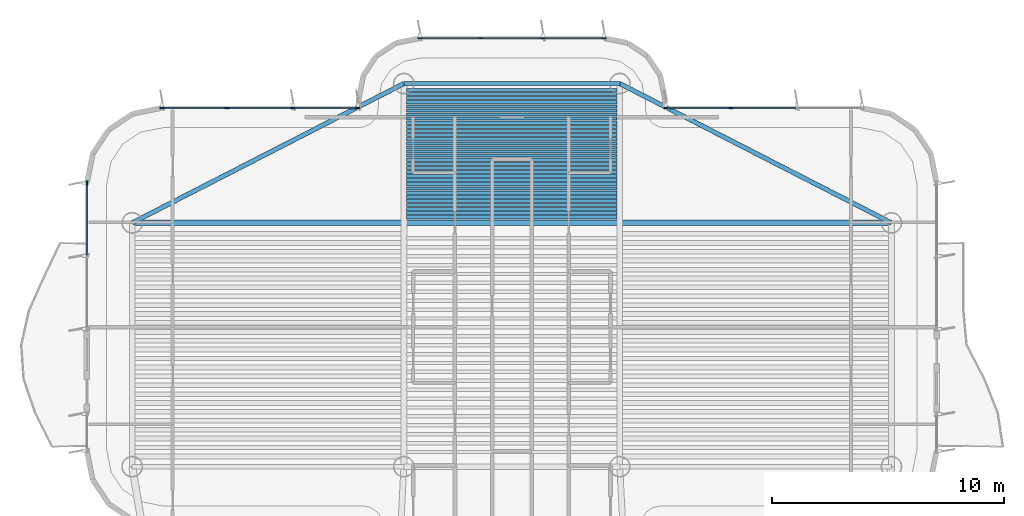
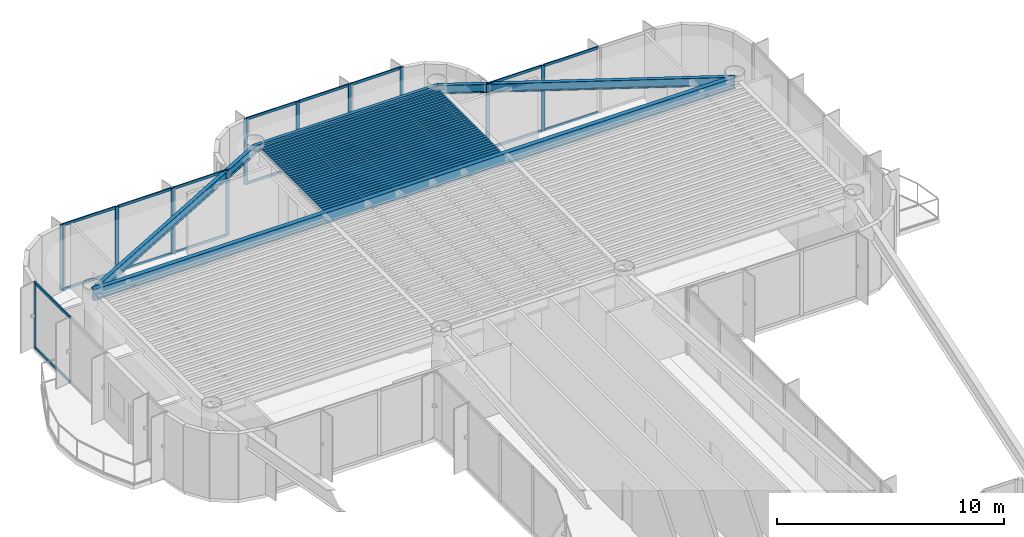
# One storey, part 7 of 16: 36 beams, 29 members, 4 elements without a shape of their own.
"""IFC4 building model written with IfcOpenShell, lengths in metres."""

from ifc_helpers import new_model, si_unit, direction, frame, origin, origin_2d, place, context, subcontext, project, spatial, rectangle, i_section, extrude, source, transform, mapped, material, layer, layer_set, material_profile, profile_set, type_object, element, aggregate, save


model = new_model("IFC4")

# Units and contexts
model_context = context("Model", 3, precision=1e-05, world=origin(), true_north=direction((0.0, 1.0)))
body_context = subcontext(model_context, "Body", "Model", "MODEL_VIEW")
ifc_project = project(units=[si_unit("LENGTHUNIT", "METRE"), si_unit("AREAUNIT", "SQUARE_METRE"), si_unit("VOLUMEUNIT", "CUBIC_METRE"), si_unit("PLANEANGLEUNIT", "RADIAN"), si_unit("MASSUNIT", "GRAM", prefix="KILO")], contexts=[model_context])

# Site, building, storey
site_placement = place(None, origin())
site = spatial("IfcSite", under=ifc_project, at=site_placement, CompositionType="ELEMENT")
building_placement = place(site_placement, origin())
building = spatial("IfcBuilding", under=site, at=building_placement, Name="Brelvock Crest Care Tower", CompositionType="ELEMENT")
storey_placement = place(building_placement, frame((0.0, 0.0, 230.580078125)))
storey = spatial("IfcBuildingStorey", under=building, at=storey_placement, Name="L58", CompositionType="ELEMENT", Elevation=230.580078125)

# Beams
ifc_material_1 = material(Name="Steel Grade 350", Category="steel")
ifc_material_profile_1 = material_profile(ifc_material_1, i_section(OverallWidth=0.177978515625, OverallDepth=0.406005859375, WebThickness=0.0078125, FlangeThickness=0.0126953125, FilletRadius=0.011474609375, at=origin_2d()), Name="410UB59.7")
ifc_profile_set_1 = profile_set([ifc_material_profile_1], Name="Steel Grade 350")
beam_type_1 = type_object("IfcBeamType", Name="BM-SP1", PredefinedType="SPANDREL", material=ifc_profile_set_1)
shared_shape_1 = source(origin(), body_context, "Body", "SweptSolid", [
    extrude(i_section(OverallWidth=0.177978515625, OverallDepth=0.406005859375, WebThickness=0.0078125, FlangeThickness=0.0126953125, FilletRadius=0.011474609375, at=origin_2d()), origin(), (0.0, 0.0, 1.0), 9.2998046875),
])
beam_1_placement = place(storey_placement, frame((31.35009765625, 60.449951171875, 3.326904296875), z_axis=(1.0, 0.0, 0.0), x_axis=(0.0, 1.0, 0.0)))
element("IfcBeam", 1, at=beam_1_placement, inside=storey, type_object=beam_type_1, Name="BM-TWR-L58-08", PredefinedType="SPANDREL", context=body_context, shape_type="MappedRepresentation", body=[
    mapped(shared_shape_1, transform((0.0, 0.0, 0.0), x_axis=(1.0, 0.0, 0.0), y_axis=(0.0, 1.0, 0.0), z_axis=(0.0, 0.0, 1.0), scale=1.0)),
])
ifc_material_profile_2 = material_profile(ifc_material_1, i_section(OverallWidth=0.14599609375, OverallDepth=0.256103515625, WebThickness=0.00634765625, FlangeThickness=0.010986328125, FilletRadius=0.0087890625, at=origin_2d()), Name="250UB37.3")
ifc_profile_set_2 = profile_set([ifc_material_profile_2], Name="Steel Grade 350")
beam_type_2 = type_object("IfcBeamType", Name="BM-J3", PredefinedType="JOIST", material=ifc_profile_set_2)
shared_shape_2 = source(origin(), body_context, "Body", "SweptSolid", [
    extrude(i_section(OverallWidth=0.14599609375, OverallDepth=0.256103515625, WebThickness=0.00634765625, FlangeThickness=0.010986328125, FilletRadius=0.0087890625, at=origin_2d()), origin(), (0.0, 0.0, 1.0), 9.06982421875),
])
for number, where, z_axis, x_axis, name in (
    (2, (31.465087890625, 54.68994140625, 3.40185546875), (1.0, 0.0, 0.0), (0.0, 1.0, 0.0), "BM-JN-L58-1"),
    (3, (31.465087890625, 54.866943359375, 3.40185546875), (1.0, 0.0, 0.0), (0.0, 1.0, 0.0), "BM-JN-L58-2"),
    (4, (31.465087890625, 55.0439453125, 3.40185546875), (1.0, 0.0, 0.0), (0.0, 1.0, 0.0), "BM-JN-L58-3"),
    (5, (31.465087890625, 55.220947265625, 3.40185546875), (1.0, 0.0, 0.0), (0.0, 1.0, 0.0), "BM-JN-L58-4"),
    (6, (31.465087890625, 55.39794921875, 3.40185546875), (1.0, 0.0, 0.0), (0.0, 1.0, 0.0), "BM-JN-L58-5"),
    (7, (31.465087890625, 55.574951171875, 3.40185546875), (1.0, 0.0, 0.0), (0.0, 1.0, 0.0), "BM-JN-L58-6"),
    (8, (31.465087890625, 55.751953125, 3.40185546875), (1.0, 0.0, 0.0), (0.0, 1.0, 0.0), "BM-JN-L58-7"),
    (9, (31.465087890625, 55.928955078125, 3.40185546875), (1.0, 0.0, 0.0), (0.0, 1.0, 0.0), "BM-JN-L58-8"),
    (10, (31.465087890625, 56.10595703125, 3.40185546875), (1.0, 0.0, 0.0), (0.0, 1.0, 0.0), "BM-JN-L58-9"),
    (11, (31.465087890625, 56.282958984375, 3.40185546875), (1.0, 0.0, 0.0), (0.0, 1.0, 0.0), "BM-JN-L58-10"),
    (12, (31.465087890625, 56.4599609375, 3.40185546875), (1.0, 0.0, 0.0), (0.0, 1.0, 0.0), "BM-JN-L58-11"),
    (13, (31.465087890625, 56.636962890625, 3.40185546875), (1.0, 0.0, 0.0), (0.0, 1.0, 0.0), "BM-JN-L58-12"),
    (14, (31.465087890625, 56.81396484375, 3.40185546875), (1.0, 0.0, 0.0), (0.0, 1.0, 0.0), "BM-JN-L58-13"),
):
    element("IfcBeam", number, at=place(storey_placement, frame(where, z_axis=z_axis, x_axis=x_axis)), inside=storey, type_object=beam_type_2, Name=name, PredefinedType="JOIST", context=body_context, shape_type="MappedRepresentation", body=[
        mapped(shared_shape_2, transform((0.0, 0.0, 0.0), x_axis=(1.0, 0.0, 0.0), y_axis=(0.0, 1.0, 0.0), z_axis=(0.0, 0.0, 1.0), scale=1.0)),
    ])
ifc_material_profile_3 = material_profile(ifc_material_1, i_section(OverallWidth=0.134033203125, OverallDepth=0.20703125, WebThickness=0.00634765625, FlangeThickness=0.009521484375, FilletRadius=0.0087890625, at=origin_2d()), Name="200UB29.8")
ifc_profile_set_3 = profile_set([ifc_material_profile_3], Name="Steel Grade 350")
beam_type_3 = type_object("IfcBeamType", Name="BM-J4", PredefinedType="JOIST", material=ifc_profile_set_3)
shared_shape_3 = source(origin(), body_context, "Body", "SweptSolid", [
    extrude(i_section(OverallWidth=0.134033203125, OverallDepth=0.20703125, WebThickness=0.00634765625, FlangeThickness=0.009521484375, FilletRadius=0.0087890625, at=origin_2d()), origin(), (0.0, 0.0, 1.0), 9.06982421875),
])
for number, where, z_axis, x_axis, name in (
    (15, (31.465087890625, 56.990966796875, 3.426513671875), (1.0, 0.0, 0.0), (0.0, 1.0, 0.0), "BM-JN-L58-14"),
    (16, (31.465087890625, 57.16796875, 3.426513671875), (1.0, 0.0, 0.0), (0.0, 1.0, 0.0), "BM-JN-L58-15"),
    (17, (31.465087890625, 57.344970703125, 3.426513671875), (1.0, 0.0, 0.0), (0.0, 1.0, 0.0), "BM-JN-L58-16"),
    (18, (31.465087890625, 57.52197265625, 3.426513671875), (1.0, 0.0, 0.0), (0.0, 1.0, 0.0), "BM-JN-L58-17"),
    (19, (31.465087890625, 57.698974609375, 3.426513671875), (1.0, 0.0, 0.0), (0.0, 1.0, 0.0), "BM-JN-L58-18"),
    (20, (31.465087890625, 57.8759765625, 3.426513671875), (1.0, 0.0, 0.0), (0.0, 1.0, 0.0), "BM-JN-L58-19"),
    (21, (31.465087890625, 58.052978515625, 3.426513671875), (1.0, 0.0, 0.0), (0.0, 1.0, 0.0), "BM-JN-L58-20"),
    (22, (31.465087890625, 58.22998046875, 3.426513671875), (1.0, 0.0, 0.0), (0.0, 1.0, 0.0), "BM-JN-L58-21"),
    (23, (31.465087890625, 58.406982421875, 3.426513671875), (1.0, 0.0, 0.0), (0.0, 1.0, 0.0), "BM-JN-L58-22"),
    (24, (31.465087890625, 58.583984375, 3.426513671875), (1.0, 0.0, 0.0), (0.0, 1.0, 0.0), "BM-JN-L58-23"),
    (25, (31.465087890625, 58.760986328125, 3.426513671875), (1.0, 0.0, 0.0), (0.0, 1.0, 0.0), "BM-JN-L58-24"),
    (26, (31.465087890625, 58.93798828125, 3.426513671875), (1.0, 0.0, 0.0), (0.0, 1.0, 0.0), "BM-JN-L58-25"),
    (27, (31.465087890625, 59.114990234375, 3.426513671875), (1.0, 0.0, 0.0), (0.0, 1.0, 0.0), "BM-JN-L58-26"),
    (28, (31.465087890625, 59.2919921875, 3.426513671875), (1.0, 0.0, 0.0), (0.0, 1.0, 0.0), "BM-JN-L58-27"),
    (29, (31.465087890625, 59.468994140625, 3.426513671875), (1.0, 0.0, 0.0), (0.0, 1.0, 0.0), "BM-JN-L58-28"),
    (30, (31.465087890625, 59.64599609375, 3.426513671875), (1.0, 0.0, 0.0), (0.0, 1.0, 0.0), "BM-JN-L58-29"),
    (31, (31.465087890625, 59.822998046875, 3.426513671875), (1.0, 0.0, 0.0), (0.0, 1.0, 0.0), "BM-JN-L58-30"),
    (32, (31.465087890625, 60.0, 3.426513671875), (1.0, 0.0, 0.0), (0.0, 1.0, 0.0), "BM-JN-L58-31"),
    (33, (31.465087890625, 60.177001953125, 3.426513671875), (1.0, 0.0, 0.0), (0.0, 1.0, 0.0), "BM-JN-L58-32"),
):
    element("IfcBeam", number, at=place(storey_placement, frame(where, z_axis=z_axis, x_axis=x_axis)), inside=storey, type_object=beam_type_3, Name=name, PredefinedType="JOIST", context=body_context, shape_type="MappedRepresentation", body=[
        mapped(shared_shape_3, transform((0.0, 0.0, 0.0), x_axis=(1.0, 0.0, 0.0), y_axis=(0.0, 1.0, 0.0), z_axis=(0.0, 0.0, 1.0), scale=1.0)),
    ])
ifc_material_profile_4 = material_profile(ifc_material_1, i_section(OverallWidth=0.19091796875, OverallDepth=0.4599609375, WebThickness=0.010009765625, FlangeThickness=0.01611328125, FilletRadius=0.011474609375, at=origin_2d()), Name="460UB82.1")
ifc_profile_set_4 = profile_set([ifc_material_profile_4], Name="Steel Grade 350")
beam_type_4 = type_object("IfcBeamType", Name="BM-SP2", PredefinedType="SPANDREL", material=ifc_profile_set_4)
shared_shape_4 = source(origin(), body_context, "Body", "SweptSolid", [
    extrude(i_section(OverallWidth=0.19091796875, OverallDepth=0.4599609375, WebThickness=0.010009765625, FlangeThickness=0.01611328125, FilletRadius=0.011474609375, at=origin_2d()), origin(), (0.0, 0.0, 1.0), 13.14892578125),
])
for number, where, z_axis, x_axis, name in (
    (34, (19.64990234375, 54.449951171875, 3.2998046875), (0.889820555736, 0.456310616346, 0.0), (-0.456310616346, 0.889820555736, 0.0), "BM-TWR-L58-06"),
    (35, (40.64990234375, 60.449951171875, 3.2998046875), (0.889820555736, -0.456310616346, 0.0), (0.456310616346, 0.889820555736, 0.0), "BM-TWR-L58-07"),
):
    element("IfcBeam", number, at=place(storey_placement, frame(where, z_axis=z_axis, x_axis=x_axis)), inside=storey, type_object=beam_type_4, Name=name, PredefinedType="SPANDREL", context=body_context, shape_type="MappedRepresentation", body=[
        mapped(shared_shape_4, transform((0.0, 0.0, 0.0), x_axis=(1.0, 0.0, 0.0), y_axis=(0.0, 1.0, 0.0), z_axis=(0.0, 0.0, 1.0), scale=1.0)),
    ])
ifc_material_profile_5 = material_profile(ifc_material_1, i_section(OverallWidth=0.22900390625, OverallDepth=0.612060546875, WebThickness=0.011962890625, FlangeThickness=0.01953125, FilletRadius=0.013916015625, at=origin_2d()), Name="610UB125")
ifc_profile_set_5 = profile_set([ifc_material_profile_5], Name="Steel Grade 350")
beam_type_5 = type_object("IfcBeamType", Name="BM-G1", PredefinedType="BEAM", material=ifc_profile_set_5)
shared_shape_5 = source(origin(), body_context, "Body", "SweptSolid", [
    extrude(i_section(OverallWidth=0.22900390625, OverallDepth=0.612060546875, WebThickness=0.011962890625, FlangeThickness=0.01953125, FilletRadius=0.013916015625, at=origin_2d()), origin(), (0.0, 0.0, 1.0), 32.7001953125),
])
beam_2_placement = place(storey_placement, frame((19.64990234375, 54.449951171875, 3.223876953125), z_axis=(1.0, 0.0, 0.0), x_axis=(0.0, 1.0, 0.0)))
element("IfcBeam", 36, at=beam_2_placement, inside=storey, type_object=beam_type_5, Name="BM-TWR-L58-11", PredefinedType="BEAM", context=body_context, shape_type="MappedRepresentation", body=[
    mapped(shared_shape_5, transform((0.0, 0.0, 0.0), x_axis=(1.0, 0.0, 0.0), y_axis=(0.0, 1.0, 0.0), z_axis=(0.0, 0.0, 1.0), scale=1.0)),
])

# Curtain wall, member
ifc_material_2 = material(Name="Dark Glass Double Glazed Low-E", Category="glass")
ifc_layer = layer(ifc_material_2, 0.239990234375, Name="CWS-5")
ifc_layer_set = layer_set([ifc_layer], Name="Dark Glass Double Glazed Low-E")
curtain_wall_type = type_object("IfcCurtainWallType", Name="CWS-5", PredefinedType="NOTDEFINED", material=ifc_layer_set)
curtain_wall_1_placement = place(storey_placement, origin())
curtain_wall_1 = element("IfcCurtainWall", 37, at=curtain_wall_1_placement, inside=storey, type_object=curtain_wall_type, Name="L58 Curtain Wall E17B", PredefinedType="NOTDEFINED")
ifc_material_3 = material(Name="Aluminium 6063-T6", Category="aluminium")
ifc_material_profile_6 = material_profile(ifc_material_3, rectangle(XDim=0.06005859375, YDim=0.179931640625, at=origin_2d()), Name="ALU60x180")
ifc_profile_set_6 = profile_set([ifc_material_profile_6], Name="Aluminium 6063-T6")
member_type_1 = type_object("IfcMemberType", Name="CWM-2", PredefinedType="MULLION", material=ifc_profile_set_6)
shared_shape_6 = source(origin(), body_context, "Body", "SweptSolid", [
    extrude(rectangle(XDim=0.06005859375, YDim=0.179931640625, at=origin_2d()), origin(), (0.0, 0.0, 1.0), 3.530029296875),
])
member_1_placement = place(storey_placement, frame((17.699951171875, 56.169921875, 0.0), z_axis=(0.0, 0.0, 1.0), x_axis=(-1.0, 0.0, 0.0)))
member_1 = element("IfcMember", 38, at=member_1_placement, type_object=member_type_1, Name="CW-5 mullion 3", PredefinedType="MULLION", context=body_context, shape_type="MappedRepresentation", body=[
    mapped(shared_shape_6, transform((0.0, 0.0, 0.0), x_axis=(1.0, 0.0, 0.0), y_axis=(0.0, 1.0, 0.0), z_axis=(0.0, 0.0, 1.0), scale=1.0)),
])

# Curtain wall, members
curtain_wall_2_placement = place(storey_placement, origin())
curtain_wall_2 = element("IfcCurtainWall", 39, at=curtain_wall_2_placement, inside=storey, type_object=curtain_wall_type, Name="L58 Curtain Wall E22", PredefinedType="NOTDEFINED")
member_2_placement = place(storey_placement, frame((20.929931640625, 59.39990234375, 0.0), z_axis=(0.0, 0.0, 1.0), x_axis=(0.0, 1.0, 0.0)))
member_2 = element("IfcMember", 40, at=member_2_placement, type_object=member_type_1, Name="CW-5 mullion 1", PredefinedType="MULLION", context=body_context, shape_type="MappedRepresentation", body=[
    mapped(shared_shape_6, transform((0.0, 0.0, 0.0), x_axis=(1.0, 0.0, 0.0), y_axis=(0.0, 1.0, 0.0), z_axis=(0.0, 0.0, 1.0), scale=1.0)),
])
member_3_placement = place(storey_placement, frame((23.7333984375, 59.39990234375, 0.0), z_axis=(0.0, 0.0, 1.0), x_axis=(0.0, 1.0, 0.0)))
member_3 = element("IfcMember", 41, at=member_3_placement, type_object=member_type_1, Name="CW-5 mullion 2", PredefinedType="MULLION", context=body_context, shape_type="MappedRepresentation", body=[
    mapped(shared_shape_6, transform((0.0, 0.0, 0.0), x_axis=(1.0, 0.0, 0.0), y_axis=(0.0, 1.0, 0.0), z_axis=(0.0, 0.0, 1.0), scale=1.0)),
])
member_4_placement = place(storey_placement, frame((26.566650390625, 59.39990234375, 0.0), z_axis=(0.0, 0.0, 1.0), x_axis=(0.0, 1.0, 0.0)))
member_4 = element("IfcMember", 42, at=member_4_placement, type_object=member_type_1, Name="CW-5 mullion 3", PredefinedType="MULLION", context=body_context, shape_type="MappedRepresentation", body=[
    mapped(shared_shape_6, transform((0.0, 0.0, 0.0), x_axis=(1.0, 0.0, 0.0), y_axis=(0.0, 1.0, 0.0), z_axis=(0.0, 0.0, 1.0), scale=1.0)),
])
member_5_placement = place(storey_placement, frame((29.3701171875, 59.39990234375, 0.0), z_axis=(0.0, 0.0, 1.0), x_axis=(0.0, 1.0, 0.0)))
member_5 = element("IfcMember", 43, at=member_5_placement, type_object=member_type_1, Name="CW-5 mullion 4", PredefinedType="MULLION", context=body_context, shape_type="MappedRepresentation", body=[
    mapped(shared_shape_6, transform((0.0, 0.0, 0.0), x_axis=(1.0, 0.0, 0.0), y_axis=(0.0, 1.0, 0.0), z_axis=(0.0, 0.0, 1.0), scale=1.0)),
])

curtain_wall_3_placement = place(storey_placement, origin())
curtain_wall_3 = element("IfcCurtainWall", 44, at=curtain_wall_3_placement, inside=storey, type_object=curtain_wall_type, Name="L58 Curtain Wall E28", PredefinedType="NOTDEFINED")
member_6_placement = place(storey_placement, frame((32.030029296875, 62.39990234375, 0.0), z_axis=(0.0, 0.0, 1.0), x_axis=(0.0, 1.0, 0.0)))
member_6 = element("IfcMember", 45, at=member_6_placement, type_object=member_type_1, Name="CW-5 mullion 1", PredefinedType="MULLION", context=body_context, shape_type="MappedRepresentation", body=[
    mapped(shared_shape_6, transform((0.0, 0.0, 0.0), x_axis=(1.0, 0.0, 0.0), y_axis=(0.0, 1.0, 0.0), z_axis=(0.0, 0.0, 1.0), scale=1.0)),
])
member_7_placement = place(storey_placement, frame((34.666748046875, 62.39990234375, 0.0), z_axis=(0.0, 0.0, 1.0), x_axis=(0.0, 1.0, 0.0)))
member_7 = element("IfcMember", 46, at=member_7_placement, type_object=member_type_1, Name="CW-5 mullion 2", PredefinedType="MULLION", context=body_context, shape_type="MappedRepresentation", body=[
    mapped(shared_shape_6, transform((0.0, 0.0, 0.0), x_axis=(1.0, 0.0, 0.0), y_axis=(0.0, 1.0, 0.0), z_axis=(0.0, 0.0, 1.0), scale=1.0)),
])
member_8_placement = place(storey_placement, frame((37.333251953125, 62.39990234375, 0.0), z_axis=(0.0, 0.0, 1.0), x_axis=(0.0, 1.0, 0.0)))
member_8 = element("IfcMember", 47, at=member_8_placement, type_object=member_type_1, Name="CW-5 mullion 3", PredefinedType="MULLION", context=body_context, shape_type="MappedRepresentation", body=[
    mapped(shared_shape_6, transform((0.0, 0.0, 0.0), x_axis=(1.0, 0.0, 0.0), y_axis=(0.0, 1.0, 0.0), z_axis=(0.0, 0.0, 1.0), scale=1.0)),
])
member_9_placement = place(storey_placement, frame((39.969970703125, 62.39990234375, 0.0), z_axis=(0.0, 0.0, 1.0), x_axis=(0.0, 1.0, 0.0)))
member_9 = element("IfcMember", 48, at=member_9_placement, type_object=member_type_1, Name="CW-5 mullion 4", PredefinedType="MULLION", context=body_context, shape_type="MappedRepresentation", body=[
    mapped(shared_shape_6, transform((0.0, 0.0, 0.0), x_axis=(1.0, 0.0, 0.0), y_axis=(0.0, 1.0, 0.0), z_axis=(0.0, 0.0, 1.0), scale=1.0)),
])

curtain_wall_4_placement = place(storey_placement, origin())
curtain_wall_4 = element("IfcCurtainWall", 49, at=curtain_wall_4_placement, inside=storey, type_object=curtain_wall_type, Name="L58 Curtain Wall E34", PredefinedType="NOTDEFINED")
member_10_placement = place(storey_placement, frame((42.6298828125, 59.39990234375, 0.0), z_axis=(0.0, 0.0, 1.0), x_axis=(0.0, 1.0, 0.0)))
member_10 = element("IfcMember", 50, at=member_10_placement, type_object=member_type_1, Name="CW-5 mullion 1", PredefinedType="MULLION", context=body_context, shape_type="MappedRepresentation", body=[
    mapped(shared_shape_6, transform((0.0, 0.0, 0.0), x_axis=(1.0, 0.0, 0.0), y_axis=(0.0, 1.0, 0.0), z_axis=(0.0, 0.0, 1.0), scale=1.0)),
])
member_11_placement = place(storey_placement, frame((45.433349609375, 59.39990234375, 0.0), z_axis=(0.0, 0.0, 1.0), x_axis=(0.0, 1.0, 0.0)))
member_11 = element("IfcMember", 51, at=member_11_placement, type_object=member_type_1, Name="CW-5 mullion 2", PredefinedType="MULLION", context=body_context, shape_type="MappedRepresentation", body=[
    mapped(shared_shape_6, transform((0.0, 0.0, 0.0), x_axis=(1.0, 0.0, 0.0), y_axis=(0.0, 1.0, 0.0), z_axis=(0.0, 0.0, 1.0), scale=1.0)),
])

# Member
ifc_material_profile_7 = material_profile(ifc_material_3, rectangle(XDim=0.06005859375, YDim=0.139892578125, at=origin_2d()), Name="ALU60x140")
ifc_profile_set_7 = profile_set([ifc_material_profile_7], Name="Aluminium 6063-T6")
member_type_2 = type_object("IfcMemberType", Name="CWT-2", PredefinedType="USERDEFINED", material=ifc_profile_set_7)
shared_shape_7 = source(origin(), body_context, "Body", "SweptSolid", [
    extrude(rectangle(XDim=0.06005859375, YDim=0.139892578125, at=origin_2d()), origin(), (0.0, 0.0, 1.0), 2.57666015625),
])
member_12_placement = place(storey_placement, frame((32.06005859375, 62.39990234375, 0.030029296875), z_axis=(1.0, 0.0, 0.0), x_axis=(0.0, 1.0, 0.0)))
member_12 = element("IfcMember", 52, at=member_12_placement, type_object=member_type_2, Name="CW-5 transom 1.1", ObjectType="TRANSOM", PredefinedType="USERDEFINED", context=body_context, shape_type="MappedRepresentation", body=[
    mapped(shared_shape_7, transform((0.0, 0.0, 0.0), x_axis=(1.0, 0.0, 0.0), y_axis=(0.0, 1.0, 0.0), z_axis=(0.0, 0.0, 1.0), scale=1.0)),
])

member_13_placement = place(storey_placement, frame((32.06005859375, 62.39990234375, 3.5), z_axis=(1.0, 0.0, 0.0), x_axis=(0.0, 1.0, 0.0)))
member_13 = element("IfcMember", 53, at=member_13_placement, type_object=member_type_2, Name="CW-5 transom 1.2", ObjectType="TRANSOM", PredefinedType="USERDEFINED", context=body_context, shape_type="MappedRepresentation", body=[
    mapped(shared_shape_7, transform((0.0, 0.0, 0.0), x_axis=(1.0, 0.0, 0.0), y_axis=(0.0, 1.0, 0.0), z_axis=(0.0, 0.0, 1.0), scale=1.0)),
])

member_14_placement = place(storey_placement, frame((37.36328125, 62.39990234375, 0.030029296875), z_axis=(1.0, 0.0, 0.0), x_axis=(0.0, 1.0, 0.0)))
member_14 = element("IfcMember", 54, at=member_14_placement, type_object=member_type_2, Name="CW-5 transom 3.1", ObjectType="TRANSOM", PredefinedType="USERDEFINED", context=body_context, shape_type="MappedRepresentation", body=[
    mapped(shared_shape_7, transform((0.0, 0.0, 0.0), x_axis=(1.0, 0.0, 0.0), y_axis=(0.0, 1.0, 0.0), z_axis=(0.0, 0.0, 1.0), scale=1.0)),
])

member_15_placement = place(storey_placement, frame((37.36328125, 62.39990234375, 3.5), z_axis=(1.0, 0.0, 0.0), x_axis=(0.0, 1.0, 0.0)))
member_15 = element("IfcMember", 55, at=member_15_placement, type_object=member_type_2, Name="CW-5 transom 3.2", ObjectType="TRANSOM", PredefinedType="USERDEFINED", context=body_context, shape_type="MappedRepresentation", body=[
    mapped(shared_shape_7, transform((0.0, 0.0, 0.0), x_axis=(1.0, 0.0, 0.0), y_axis=(0.0, 1.0, 0.0), z_axis=(0.0, 0.0, 1.0), scale=1.0)),
])

shared_shape_8 = source(origin(), body_context, "Body", "SweptSolid", [
    extrude(rectangle(XDim=0.06005859375, YDim=0.139892578125, at=origin_2d()), origin(), (0.0, 0.0, 1.0), 3.0849609375),
])
member_16_placement = place(storey_placement, frame((17.699951171875, 53.054931640625, 0.030029296875), z_axis=(0.0, 1.0, 0.0), x_axis=(-1.0, 0.0, 0.0)))
member_16 = element("IfcMember", 56, at=member_16_placement, type_object=member_type_2, Name="CW-5 transom 2.1", ObjectType="TRANSOM", PredefinedType="USERDEFINED", context=body_context, shape_type="MappedRepresentation", body=[
    mapped(shared_shape_8, transform((0.0, 0.0, 0.0), x_axis=(1.0, 0.0, 0.0), y_axis=(0.0, 1.0, 0.0), z_axis=(0.0, 0.0, 1.0), scale=1.0)),
])

member_17_placement = place(storey_placement, frame((17.699951171875, 53.054931640625, 3.5), z_axis=(0.0, 1.0, 0.0), x_axis=(-1.0, 0.0, 0.0)))
member_17 = element("IfcMember", 57, at=member_17_placement, type_object=member_type_2, Name="CW-5 transom 2.2", ObjectType="TRANSOM", PredefinedType="USERDEFINED", context=body_context, shape_type="MappedRepresentation", body=[
    mapped(shared_shape_8, transform((0.0, 0.0, 0.0), x_axis=(1.0, 0.0, 0.0), y_axis=(0.0, 1.0, 0.0), z_axis=(0.0, 0.0, 1.0), scale=1.0)),
])

aggregate(curtain_wall_1, [member_1, member_16, member_17])

shared_shape_9 = source(origin(), body_context, "Body", "SweptSolid", [
    extrude(rectangle(XDim=0.06005859375, YDim=0.139892578125, at=origin_2d()), origin(), (0.0, 0.0, 1.0), 2.743408203125),
])
member_18_placement = place(storey_placement, frame((20.9599609375, 59.39990234375, 0.030029296875), z_axis=(1.0, 0.0, 0.0), x_axis=(0.0, 1.0, 0.0)))
member_18 = element("IfcMember", 58, at=member_18_placement, type_object=member_type_2, Name="CW-5 transom 1.1", ObjectType="TRANSOM", PredefinedType="USERDEFINED", context=body_context, shape_type="MappedRepresentation", body=[
    mapped(shared_shape_9, transform((0.0, 0.0, 0.0), x_axis=(1.0, 0.0, 0.0), y_axis=(0.0, 1.0, 0.0), z_axis=(0.0, 0.0, 1.0), scale=1.0)),
])

member_19_placement = place(storey_placement, frame((20.9599609375, 59.39990234375, 3.5), z_axis=(1.0, 0.0, 0.0), x_axis=(0.0, 1.0, 0.0)))
member_19 = element("IfcMember", 59, at=member_19_placement, type_object=member_type_2, Name="CW-5 transom 1.2", ObjectType="TRANSOM", PredefinedType="USERDEFINED", context=body_context, shape_type="MappedRepresentation", body=[
    mapped(shared_shape_9, transform((0.0, 0.0, 0.0), x_axis=(1.0, 0.0, 0.0), y_axis=(0.0, 1.0, 0.0), z_axis=(0.0, 0.0, 1.0), scale=1.0)),
])

member_20_placement = place(storey_placement, frame((26.5966796875, 59.39990234375, 0.030029296875), z_axis=(1.0, 0.0, 0.0), x_axis=(0.0, 1.0, 0.0)))
member_20 = element("IfcMember", 60, at=member_20_placement, type_object=member_type_2, Name="CW-5 transom 3.1", ObjectType="TRANSOM", PredefinedType="USERDEFINED", context=body_context, shape_type="MappedRepresentation", body=[
    mapped(shared_shape_9, transform((0.0, 0.0, 0.0), x_axis=(1.0, 0.0, 0.0), y_axis=(0.0, 1.0, 0.0), z_axis=(0.0, 0.0, 1.0), scale=1.0)),
])

member_21_placement = place(storey_placement, frame((26.5966796875, 59.39990234375, 3.5), z_axis=(1.0, 0.0, 0.0), x_axis=(0.0, 1.0, 0.0)))
member_21 = element("IfcMember", 61, at=member_21_placement, type_object=member_type_2, Name="CW-5 transom 3.2", ObjectType="TRANSOM", PredefinedType="USERDEFINED", context=body_context, shape_type="MappedRepresentation", body=[
    mapped(shared_shape_9, transform((0.0, 0.0, 0.0), x_axis=(1.0, 0.0, 0.0), y_axis=(0.0, 1.0, 0.0), z_axis=(0.0, 0.0, 1.0), scale=1.0)),
])

member_22_placement = place(storey_placement, frame((42.659912109375, 59.39990234375, 0.030029296875), z_axis=(1.0, 0.0, 0.0), x_axis=(0.0, 1.0, 0.0)))
member_22 = element("IfcMember", 62, at=member_22_placement, type_object=member_type_2, Name="CW-5 transom 1.1", ObjectType="TRANSOM", PredefinedType="USERDEFINED", context=body_context, shape_type="MappedRepresentation", body=[
    mapped(shared_shape_9, transform((0.0, 0.0, 0.0), x_axis=(1.0, 0.0, 0.0), y_axis=(0.0, 1.0, 0.0), z_axis=(0.0, 0.0, 1.0), scale=1.0)),
])

member_23_placement = place(storey_placement, frame((42.659912109375, 59.39990234375, 3.5), z_axis=(1.0, 0.0, 0.0), x_axis=(0.0, 1.0, 0.0)))
member_23 = element("IfcMember", 63, at=member_23_placement, type_object=member_type_2, Name="CW-5 transom 1.2", ObjectType="TRANSOM", PredefinedType="USERDEFINED", context=body_context, shape_type="MappedRepresentation", body=[
    mapped(shared_shape_9, transform((0.0, 0.0, 0.0), x_axis=(1.0, 0.0, 0.0), y_axis=(0.0, 1.0, 0.0), z_axis=(0.0, 0.0, 1.0), scale=1.0)),
])

shared_shape_10 = source(origin(), body_context, "Body", "SweptSolid", [
    extrude(rectangle(XDim=0.06005859375, YDim=0.139892578125, at=origin_2d()), origin(), (0.0, 0.0, 1.0), 2.773193359375),
])
member_24_placement = place(storey_placement, frame((23.763427734375, 59.39990234375, 0.030029296875), z_axis=(1.0, 0.0, 0.0), x_axis=(0.0, 1.0, 0.0)))
member_24 = element("IfcMember", 64, at=member_24_placement, type_object=member_type_2, Name="CW-5 transom 2.1", ObjectType="TRANSOM", PredefinedType="USERDEFINED", context=body_context, shape_type="MappedRepresentation", body=[
    mapped(shared_shape_10, transform((0.0, 0.0, 0.0), x_axis=(1.0, 0.0, 0.0), y_axis=(0.0, 1.0, 0.0), z_axis=(0.0, 0.0, 1.0), scale=1.0)),
])

member_25_placement = place(storey_placement, frame((23.763427734375, 59.39990234375, 3.5), z_axis=(1.0, 0.0, 0.0), x_axis=(0.0, 1.0, 0.0)))
member_25 = element("IfcMember", 65, at=member_25_placement, type_object=member_type_2, Name="CW-5 transom 2.2", ObjectType="TRANSOM", PredefinedType="USERDEFINED", context=body_context, shape_type="MappedRepresentation", body=[
    mapped(shared_shape_10, transform((0.0, 0.0, 0.0), x_axis=(1.0, 0.0, 0.0), y_axis=(0.0, 1.0, 0.0), z_axis=(0.0, 0.0, 1.0), scale=1.0)),
])

aggregate(curtain_wall_2, [member_2, member_3, member_4, member_5, member_18, member_19, member_24, member_25, member_20, member_21])

member_26_placement = place(storey_placement, frame((45.46337890625, 59.39990234375, 0.030029296875), z_axis=(1.0, 0.0, 0.0), x_axis=(0.0, 1.0, 0.0)))
member_26 = element("IfcMember", 66, at=member_26_placement, type_object=member_type_2, Name="CW-5 transom 2.1", ObjectType="TRANSOM", PredefinedType="USERDEFINED", context=body_context, shape_type="MappedRepresentation", body=[
    mapped(shared_shape_10, transform((0.0, 0.0, 0.0), x_axis=(1.0, 0.0, 0.0), y_axis=(0.0, 1.0, 0.0), z_axis=(0.0, 0.0, 1.0), scale=1.0)),
])

member_27_placement = place(storey_placement, frame((45.46337890625, 59.39990234375, 3.5), z_axis=(1.0, 0.0, 0.0), x_axis=(0.0, 1.0, 0.0)))
member_27 = element("IfcMember", 67, at=member_27_placement, type_object=member_type_2, Name="CW-5 transom 2.2", ObjectType="TRANSOM", PredefinedType="USERDEFINED", context=body_context, shape_type="MappedRepresentation", body=[
    mapped(shared_shape_10, transform((0.0, 0.0, 0.0), x_axis=(1.0, 0.0, 0.0), y_axis=(0.0, 1.0, 0.0), z_axis=(0.0, 0.0, 1.0), scale=1.0)),
])

aggregate(curtain_wall_4, [member_10, member_11, member_22, member_23, member_26, member_27])

shared_shape_11 = source(origin(), body_context, "Body", "SweptSolid", [
    extrude(rectangle(XDim=0.06005859375, YDim=0.139892578125, at=origin_2d()), origin(), (0.0, 0.0, 1.0), 2.6064453125),
])
member_28_placement = place(storey_placement, frame((34.69677734375, 62.39990234375, 0.030029296875), z_axis=(1.0, 0.0, 0.0), x_axis=(0.0, 1.0, 0.0)))
member_28 = element("IfcMember", 68, at=member_28_placement, type_object=member_type_2, Name="CW-5 transom 2.1", ObjectType="TRANSOM", PredefinedType="USERDEFINED", context=body_context, shape_type="MappedRepresentation", body=[
    mapped(shared_shape_11, transform((0.0, 0.0, 0.0), x_axis=(1.0, 0.0, 0.0), y_axis=(0.0, 1.0, 0.0), z_axis=(0.0, 0.0, 1.0), scale=1.0)),
])

member_29_placement = place(storey_placement, frame((34.69677734375, 62.39990234375, 3.5), z_axis=(1.0, 0.0, 0.0), x_axis=(0.0, 1.0, 0.0)))
member_29 = element("IfcMember", 69, at=member_29_placement, type_object=member_type_2, Name="CW-5 transom 2.2", ObjectType="TRANSOM", PredefinedType="USERDEFINED", context=body_context, shape_type="MappedRepresentation", body=[
    mapped(shared_shape_11, transform((0.0, 0.0, 0.0), x_axis=(1.0, 0.0, 0.0), y_axis=(0.0, 1.0, 0.0), z_axis=(0.0, 0.0, 1.0), scale=1.0)),
])

aggregate(curtain_wall_3, [member_6, member_7, member_8, member_9, member_12, member_13, member_28, member_29, member_14, member_15])

save(model, "model.ifc")
